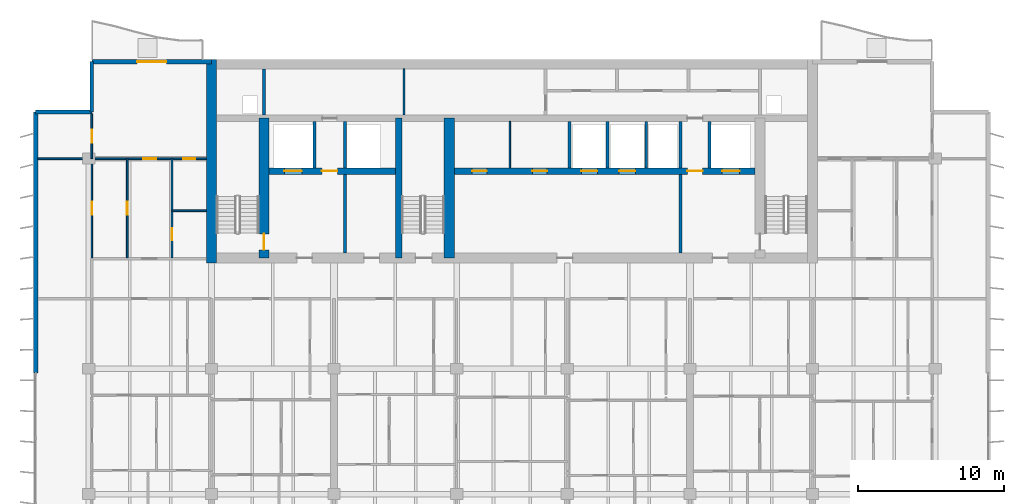
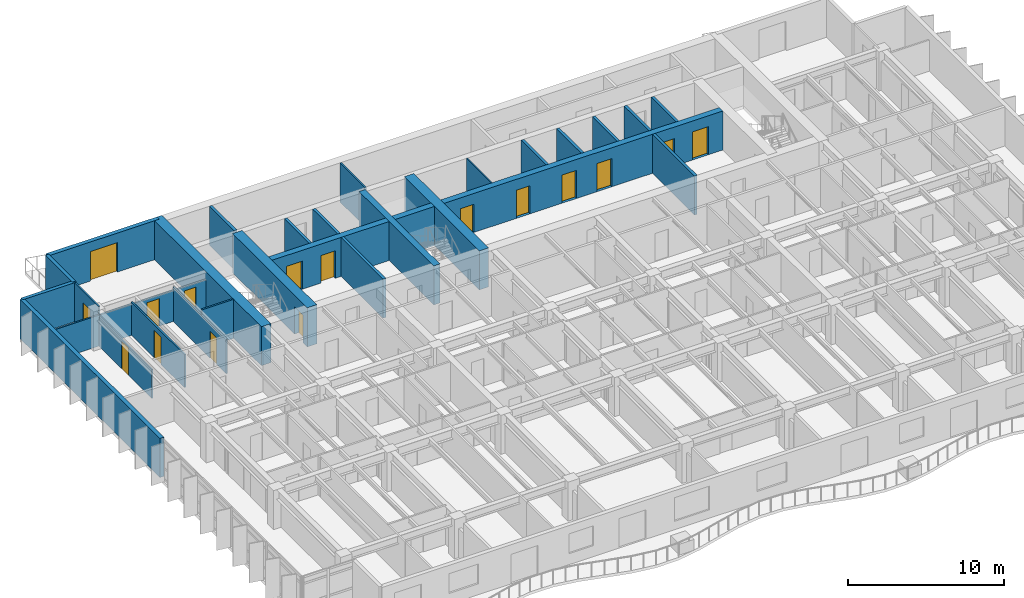
# One storey, part 13 of 19: 27 walls, 16 doors, 16 openings.
"""IFC4 building model written with IfcOpenShell, lengths in metres."""

from ifc_helpers import new_model, si_unit, direction, frame, frame_2d, origin, place, context, subcontext, project, spatial, rectangle, extrude, material, layer, layer_set, type_object, element, fill, save


model = new_model("IFC4")

# Units and contexts
model_context = context("Model", 3, precision=1e-05, world=origin(), true_north=direction((0.0, 1.0)))
body_context = subcontext(model_context, "Body", "Model", "MODEL_VIEW")
ifc_project = project(units=[si_unit("LENGTHUNIT", "METRE"), si_unit("AREAUNIT", "SQUARE_METRE"), si_unit("VOLUMEUNIT", "CUBIC_METRE"), si_unit("PLANEANGLEUNIT", "RADIAN"), si_unit("MASSUNIT", "GRAM", prefix="KILO")], contexts=[model_context])

# Site, building, storey
site_placement = place(None, origin())
site = spatial("IfcSite", under=ifc_project, at=site_placement, CompositionType="ELEMENT")
building_placement = place(site_placement, origin())
building = spatial("IfcBuilding", under=site, at=building_placement, Name="Caelmar Bay Residences", CompositionType="ELEMENT")
storey_placement = place(building_placement, frame((0.0, 0.0, 160.5)))
storey = spatial("IfcBuildingStorey", under=building, at=storey_placement, Name="L44", CompositionType="ELEMENT", Elevation=160.5)

# Wall
ifc_material_1 = material(Name="Concrete f'c 55 MPa (8,000 psi)", Category="concrete")
ifc_layer_1 = layer(ifc_material_1, 0.699951171875)
ifc_layer_set_1 = layer_set([ifc_layer_1], Name="Concrete f'c 55 MPa (8,000 psi)")
wall_type_1 = type_object("IfcWallType", Name="SW-COR-700", PredefinedType="SHEAR", material=ifc_layer_set_1)
wall_1_placement = place(storey_placement, frame((18.300048828125, 36.64990234375, 0.0), z_axis=(0.0, 0.0, 1.0), x_axis=(0.0, 1.0, 0.0)))
element("IfcWall", 1, at=wall_1_placement, inside=storey, type_object=wall_type_1, Name="L44 Rear Core West Shear Wall", PredefinedType="SHEAR", context=body_context, shape_type="SweptSolid", body=[
    extrude(rectangle(XDim=13.9501953125, YDim=0.699951171875, at=frame_2d((6.97509765625, 0.0))), origin(), (0.0, 0.0, 1.0), 3.050048828125),
])

# Wall, opening, door
wall_2_placement = place(storey_placement, frame((21.89990234375, 37.0, 0.0), z_axis=(0.0, 0.0, 1.0), x_axis=(0.0, 1.0, 0.0)))
wall_2 = element("IfcWall", 2, at=wall_2_placement, inside=storey, type_object=wall_type_1, Name="L44 Core Structural Web Wall ST1E", PredefinedType="SHEAR", context=body_context, shape_type="SweptSolid", body=[
    extrude(rectangle(XDim=9.574951171875, YDim=0.699951171875, at=frame_2d((4.78759765625, 0.0))), origin(), (0.0, 0.0, 1.0), 3.050048828125),
])
opening_1_placement = place(wall_2_placement, frame((0.550048828125, 0.0, 0.0)))
opening_1 = element("IfcOpeningElement", 3, at=opening_1_placement, cuts=wall_2, Name="Opening D-L44-107", PredefinedType="OPENING", context=body_context, shape_type="SweptSolid", body=[
    extrude(rectangle(XDim=1.10009765625, YDim=2.14990234375, at=frame_2d((0.550048828125, 1.074951171875))), frame((0.0, 0.35986328125, 0.0), z_axis=(0.0, -1.0, 0.0), x_axis=(1.0, 0.0, 0.0)), (0.0, 0.0, 1.0), 0.719970703125),
])
ifc_material_2 = material(Name="Fire-rated steel and walnut architectural door assembly", Category="steel")
ifc_layer_2 = layer(ifc_material_2, 0.050048828125)
ifc_layer_set_2 = layer_set([ifc_layer_2], Name="Fire-rated steel and walnut architectural door assembly")
door_type_1 = type_object("IfcDoorType", Name="D-STAIR-1100", OperationType="NOTDEFINED", PredefinedType="DOOR", material=ifc_layer_set_2)
door_1_placement = place(opening_1_placement, origin())
door_1 = element("IfcDoor", 4, at=door_1_placement, inside=storey, type_object=door_type_1, Name="L44 Firefighting Lobby West Door", OperationType="SINGLE_SWING_RIGHT", OverallHeight=2.14990234375, OverallWidth=1.10009765625, PredefinedType="DOOR", context=body_context, shape_type="SweptSolid", body=[
    extrude(rectangle(XDim=1.10009765625, YDim=2.14990234375, at=frame_2d((0.550048828125, 1.074951171875))), frame((0.0, 0.02490234375, 0.0), z_axis=(0.0, -1.0, 0.0), x_axis=(1.0, 0.0, 0.0)), (0.0, 0.0, 1.0), 0.050048828125),
])
fill(opening_1, door_1)

# Walls
wall_3_placement = place(storey_placement, frame((34.60009765625, 37.0, 0.0), z_axis=(0.0, 0.0, 1.0), x_axis=(0.0, 1.0, 0.0)))
element("IfcWall", 5, at=wall_3_placement, inside=storey, type_object=wall_type_1, Name="L44 Core Structural Web Wall ST3E", PredefinedType="SHEAR", context=body_context, shape_type="SweptSolid", body=[
    extrude(rectangle(XDim=9.574951171875, YDim=0.699951171875, at=frame_2d((4.78759765625, 0.0))), origin(), (0.0, 0.0, 1.0), 3.050048828125),
])
ifc_material_3 = material(Name="Concrete f'c 70 MPa (10,000 psi)", Category="concrete")
ifc_layer_3 = layer(ifc_material_3, 0.449951171875)
ifc_layer_set_3 = layer_set([ifc_layer_3], Name="Concrete f'c 70 MPa (10,000 psi)")
wall_type_2 = type_object("IfcWallType", Name="SW-WEB-450", PredefinedType="SHEAR", material=ifc_layer_set_3)
wall_4_placement = place(storey_placement, frame((31.125, 37.0, 0.0), z_axis=(0.0, 0.0, 1.0), x_axis=(0.0, 1.0, 0.0)))
element("IfcWall", 6, at=wall_4_placement, inside=storey, type_object=wall_type_2, Name="L44 Core Structural Web Wall ST3W", PredefinedType="SHEAR", context=body_context, shape_type="SweptSolid", body=[
    extrude(rectangle(XDim=9.574951171875, YDim=0.449951171875, at=frame_2d((4.78759765625, 0.0))), origin(), (0.0, 0.0, 1.0), 3.050048828125),
])

# Wall, openings, doors
wall_5_placement = place(storey_placement, frame((22.25, 42.949951171875, 0.0), z_axis=(0.0, 0.0, 1.0), x_axis=(1.0, 0.0, 0.0)))
wall_5 = element("IfcWall", 7, at=wall_5_placement, inside=storey, type_object=wall_type_2, Name="L44 Core Structural Web Wall LFR", PredefinedType="SHEAR", context=body_context, shape_type="SweptSolid", body=[
    extrude(rectangle(XDim=33.300048828125, YDim=0.449951171875, at=frame_2d((16.64990234375, 0.0))), origin(), (0.0, 0.0, 1.0), 3.050048828125),
])
opening_2_placement = place(wall_5_placement, frame((1.050048828125, 0.0, 0.0)))
opening_2 = element("IfcOpeningElement", 8, at=opening_2_placement, cuts=wall_5, Name="Opening LD2", PredefinedType="OPENING", context=body_context, shape_type="SweptSolid", body=[
    extrude(rectangle(XDim=1.199951171875, YDim=2.199951171875, at=frame_2d((0.60009765625, 1.10009765625))), frame((0.0, 0.23486328125, 0.0), z_axis=(0.0, -1.0, 0.0), x_axis=(1.0, 0.0, 0.0)), (0.0, 0.0, 1.0), 0.469970703125),
])
opening_3_placement = place(wall_5_placement, frame((31.050048828125, 0.0, 0.0)))
opening_3 = element("IfcOpeningElement", 9, at=opening_3_placement, cuts=wall_5, Name="Opening LD2", PredefinedType="OPENING", context=body_context, shape_type="SweptSolid", body=[
    extrude(rectangle(XDim=1.199951171875, YDim=2.199951171875, at=frame_2d((0.60009765625, 1.10009765625))), frame((0.0, 0.23486328125, 0.0), z_axis=(0.0, -1.0, 0.0), x_axis=(1.0, 0.0, 0.0)), (0.0, 0.0, 1.0), 0.469970703125),
])
opening_4_placement = place(wall_5_placement, frame((21.39990234375, 0.0, 0.0)))
opening_4 = element("IfcOpeningElement", 10, at=opening_4_placement, cuts=wall_5, Name="Opening LD1", PredefinedType="OPENING", context=body_context, shape_type="SweptSolid", body=[
    extrude(rectangle(XDim=1.10009765625, YDim=2.199951171875, at=frame_2d((0.550048828125, 1.10009765625))), frame((0.0, 0.23486328125, 0.0), z_axis=(0.0, -1.0, 0.0), x_axis=(1.0, 0.0, 0.0)), (0.0, 0.0, 1.0), 0.469970703125),
])
opening_5_placement = place(wall_5_placement, frame((24.0, 0.0, 0.0)))
opening_5 = element("IfcOpeningElement", 11, at=opening_5_placement, cuts=wall_5, Name="Opening LD1", PredefinedType="OPENING", context=body_context, shape_type="SweptSolid", body=[
    extrude(rectangle(XDim=1.10009765625, YDim=2.199951171875, at=frame_2d((0.550048828125, 1.10009765625))), frame((0.0, 0.23486328125, 0.0), z_axis=(0.0, -1.0, 0.0), x_axis=(1.0, 0.0, 0.0)), (0.0, 0.0, 1.0), 0.469970703125),
])
opening_6_placement = place(wall_5_placement, frame((3.625, 0.0, 0.0)))
opening_6 = element("IfcOpeningElement", 12, at=opening_6_placement, cuts=wall_5, Name="Opening D-L44-108", PredefinedType="OPENING", context=body_context, shape_type="SweptSolid", body=[
    extrude(rectangle(XDim=1.050048828125, YDim=2.14990234375, at=frame_2d((0.52490234375, 1.074951171875))), frame((0.0, 0.23486328125, 0.0), z_axis=(0.0, -1.0, 0.0), x_axis=(1.0, 0.0, 0.0)), (0.0, 0.0, 1.0), 0.469970703125),
])
opening_7_placement = place(wall_5_placement, frame((28.675048828125, 0.0, 0.0)))
opening_7 = element("IfcOpeningElement", 13, at=opening_7_placement, cuts=wall_5, Name="Opening D-L44-111", PredefinedType="OPENING", context=body_context, shape_type="SweptSolid", body=[
    extrude(rectangle(XDim=1.050048828125, YDim=2.14990234375, at=frame_2d((0.52490234375, 1.074951171875))), frame((0.0, 0.23486328125, 0.0), z_axis=(0.0, -1.0, 0.0), x_axis=(1.0, 0.0, 0.0)), (0.0, 0.0, 1.0), 0.469970703125),
])
opening_8_placement = place(wall_5_placement, frame((13.925048828125, 0.0, 0.0)))
opening_8 = element("IfcOpeningElement", 14, at=opening_8_placement, cuts=wall_5, Name="Opening D-L44-114", PredefinedType="OPENING", context=body_context, shape_type="SweptSolid", body=[
    extrude(rectangle(XDim=1.0, YDim=2.199951171875, at=frame_2d((0.5, 1.10009765625))), frame((0.0, 0.23486328125, 0.0), z_axis=(0.0, -1.0, 0.0), x_axis=(1.0, 0.0, 0.0)), (0.0, 0.0, 1.0), 0.469970703125),
])
opening_9_placement = place(wall_5_placement, frame((18.050048828125, 0.0, 0.0)))
opening_9 = element("IfcOpeningElement", 15, at=opening_9_placement, cuts=wall_5, Name="Opening D-L44-115", PredefinedType="OPENING", context=body_context, shape_type="SweptSolid", body=[
    extrude(rectangle(XDim=1.0, YDim=2.199951171875, at=frame_2d((0.5, 1.10009765625))), frame((0.0, 0.23486328125, 0.0), z_axis=(0.0, -1.0, 0.0), x_axis=(1.0, 0.0, 0.0)), (0.0, 0.0, 1.0), 0.469970703125),
])
ifc_layer_4 = layer(ifc_material_2, 0.050048828125)
ifc_layer_set_4 = layer_set([ifc_layer_4], Name="Fire-rated steel and walnut architectural door assembly")
door_type_2 = type_object("IfcDoorType", Name="D-FSAE-1050", OperationType="NOTDEFINED", PredefinedType="DOOR", material=ifc_layer_set_4)
door_2_placement = place(opening_6_placement, origin())
door_2 = element("IfcDoor", 16, at=door_2_placement, inside=storey, type_object=door_type_2, Name="L44 Firefighting Lobby West Door", OperationType="SINGLE_SWING_LEFT", OverallHeight=2.14990234375, OverallWidth=1.050048828125, PredefinedType="DOOR", context=body_context, shape_type="SweptSolid", body=[
    extrude(rectangle(XDim=1.050048828125, YDim=2.14990234375, at=frame_2d((0.52490234375, 1.074951171875))), frame((0.0, 0.02490234375, 0.0), z_axis=(0.0, -1.0, 0.0), x_axis=(1.0, 0.0, 0.0)), (0.0, 0.0, 1.0), 0.050048828125),
])
fill(opening_6, door_2)
door_3_placement = place(opening_7_placement, origin())
door_3 = element("IfcDoor", 17, at=door_3_placement, inside=storey, type_object=door_type_2, Name="L44 Firefighting Lobby East Door", OperationType="SINGLE_SWING_RIGHT", OverallHeight=2.14990234375, OverallWidth=1.050048828125, PredefinedType="DOOR", context=body_context, shape_type="SweptSolid", body=[
    extrude(rectangle(XDim=1.050048828125, YDim=2.14990234375, at=frame_2d((0.52490234375, 1.074951171875))), frame((0.0, 0.02490234375, 0.0), z_axis=(0.0, -1.0, 0.0), x_axis=(1.0, 0.0, 0.0)), (0.0, 0.0, 1.0), 0.050048828125),
])
fill(opening_7, door_3)
ifc_material_4 = material(Name="Brushed bronze stainless-steel fire-rated lift landing doors", Category="steel")
ifc_layer_5 = layer(ifc_material_4, 0.050048828125)
ifc_layer_set_5 = layer_set([ifc_layer_5], Name="Brushed bronze stainless-steel fire-rated lift landing doors")
door_type_3 = type_object("IfcDoorType", Name="D-LND-1100", OperationType="DOUBLE_DOOR_SLIDING", PredefinedType="DOOR", material=ifc_layer_set_5)
door_4_placement = place(opening_4_placement, origin())
door_4 = element("IfcDoor", 18, at=door_4_placement, inside=storey, type_object=door_type_3, Name="L44 LP4 Sliding Landing Door", OperationType="DOUBLE_DOOR_SLIDING", OverallHeight=2.199951171875, OverallWidth=1.10009765625, PredefinedType="DOOR", context=body_context, shape_type="SweptSolid", body=[
    extrude(rectangle(XDim=1.10009765625, YDim=2.199951171875, at=frame_2d((0.550048828125, 1.10009765625))), frame((0.0, 0.02490234375, 0.0), z_axis=(0.0, -1.0, 0.0), x_axis=(1.0, 0.0, 0.0)), (0.0, 0.0, 1.0), 0.050048828125),
])
fill(opening_4, door_4)
door_5_placement = place(opening_5_placement, origin())
door_5 = element("IfcDoor", 19, at=door_5_placement, inside=storey, type_object=door_type_3, Name="L44 LP5 Sliding Landing Door", OperationType="DOUBLE_DOOR_SLIDING", OverallHeight=2.199951171875, OverallWidth=1.10009765625, PredefinedType="DOOR", context=body_context, shape_type="SweptSolid", body=[
    extrude(rectangle(XDim=1.10009765625, YDim=2.199951171875, at=frame_2d((0.550048828125, 1.10009765625))), frame((0.0, 0.02490234375, 0.0), z_axis=(0.0, -1.0, 0.0), x_axis=(1.0, 0.0, 0.0)), (0.0, 0.0, 1.0), 0.050048828125),
])
fill(opening_5, door_5)
ifc_material_5 = material(Name="Brushed stainless-steel FSAE sliding landing door", Category="steel")
ifc_layer_6 = layer(ifc_material_5, 0.050048828125)
ifc_layer_set_6 = layer_set([ifc_layer_6], Name="Brushed stainless-steel FSAE sliding landing door")
door_type_4 = type_object("IfcDoorType", Name="D-LND-1200", OperationType="DOUBLE_DOOR_SLIDING", PredefinedType="DOOR", material=ifc_layer_set_6)
door_6_placement = place(opening_2_placement, origin())
door_6 = element("IfcDoor", 20, at=door_6_placement, inside=storey, type_object=door_type_4, Name="L44 LF1 Sliding Landing Door", OperationType="DOUBLE_DOOR_SLIDING", OverallHeight=2.199951171875, OverallWidth=1.199951171875, PredefinedType="DOOR", context=body_context, shape_type="SweptSolid", body=[
    extrude(rectangle(XDim=1.199951171875, YDim=2.199951171875, at=frame_2d((0.60009765625, 1.10009765625))), frame((0.0, 0.02490234375, 0.0), z_axis=(0.0, -1.0, 0.0), x_axis=(1.0, 0.0, 0.0)), (0.0, 0.0, 1.0), 0.050048828125),
])
fill(opening_2, door_6)
door_7_placement = place(opening_3_placement, origin())
door_7 = element("IfcDoor", 21, at=door_7_placement, inside=storey, type_object=door_type_4, Name="L44 LF2 Sliding Landing Door", OperationType="DOUBLE_DOOR_SLIDING", OverallHeight=2.199951171875, OverallWidth=1.199951171875, PredefinedType="DOOR", context=body_context, shape_type="SweptSolid", body=[
    extrude(rectangle(XDim=1.199951171875, YDim=2.199951171875, at=frame_2d((0.60009765625, 1.10009765625))), frame((0.0, 0.02490234375, 0.0), z_axis=(0.0, -1.0, 0.0), x_axis=(1.0, 0.0, 0.0)), (0.0, 0.0, 1.0), 0.050048828125),
])
fill(opening_3, door_7)
ifc_layer_7 = layer(ifc_material_2, 0.050048828125)
ifc_layer_set_7 = layer_set([ifc_layer_7], Name="Fire-rated steel and walnut architectural door assembly")
door_type_5 = type_object("IfcDoorType", Name="D-UNIT-1000", OperationType="NOTDEFINED", PredefinedType="DOOR", material=ifc_layer_set_7)
door_8_placement = place(opening_8_placement, origin())
door_8 = element("IfcDoor", 22, at=door_8_placement, inside=storey, type_object=door_type_5, Name="L44 Residents Study Room Door", OperationType="SINGLE_SWING_LEFT", OverallHeight=2.199951171875, OverallWidth=1.0, PredefinedType="DOOR", context=body_context, shape_type="SweptSolid", body=[
    extrude(rectangle(XDim=1.0, YDim=2.199951171875, at=frame_2d((0.5, 1.10009765625))), frame((0.0, 0.02490234375, 0.0), z_axis=(0.0, -1.0, 0.0), x_axis=(1.0, 0.0, 0.0)), (0.0, 0.0, 1.0), 0.050048828125),
])
fill(opening_8, door_8)
door_9_placement = place(opening_9_placement, origin())
door_9 = element("IfcDoor", 23, at=door_9_placement, inside=storey, type_object=door_type_5, Name="L44 Wine Tasting Room Door", OperationType="SINGLE_SWING_RIGHT", OverallHeight=2.199951171875, OverallWidth=1.0, PredefinedType="DOOR", context=body_context, shape_type="SweptSolid", body=[
    extrude(rectangle(XDim=1.0, YDim=2.199951171875, at=frame_2d((0.5, 1.10009765625))), frame((0.0, 0.02490234375, 0.0), z_axis=(0.0, -1.0, 0.0), x_axis=(1.0, 0.0, 0.0)), (0.0, 0.0, 1.0), 0.050048828125),
])
fill(opening_9, door_9)

# Walls
ifc_material_6 = material(Name="Precast concrete f'c 40 MPa (6,000 psi)", Category="concrete")
ifc_layer_8 = layer(ifc_material_6, 0.25)
ifc_layer_set_8 = layer_set([ifc_layer_8], Name="Precast concrete f'c 40 MPa (6,000 psi)")
wall_type_3 = type_object("IfcWallType", Name="W-EXT-250", PredefinedType="ELEMENTEDWALL", material=ifc_layer_set_8)
wall_6_placement = place(storey_placement, frame((6.25, 47.0, 0.0), z_axis=(0.0, 0.0, 1.0), x_axis=(1.0, 0.0, 0.0)))
element("IfcWall", 24, at=wall_6_placement, inside=storey, type_object=wall_type_3, Name="L44 NNW-H Notch Wall", PredefinedType="ELEMENTEDWALL", context=body_context, shape_type="SweptSolid", body=[
    extrude(rectangle(XDim=3.85009765625, YDim=0.25, at=frame_2d((1.925048828125, 0.0))), origin(), (0.0, 0.0, 1.0), 3.050048828125),
])
wall_7_placement = place(storey_placement, frame((10.10009765625, 47.0, 0.0), z_axis=(0.0, 0.0, 1.0), x_axis=(0.0, 1.0, 0.0)))
element("IfcWall", 25, at=wall_7_placement, inside=storey, type_object=wall_type_3, Name="L44 NNW-V Notch Wall", PredefinedType="ELEMENTEDWALL", context=body_context, shape_type="SweptSolid", body=[
    extrude(rectangle(XDim=3.449951171875, YDim=0.25, at=frame_2d((1.72509765625, 0.0))), origin(), (0.0, 0.0, 1.0), 3.050048828125),
])
ifc_layer_9 = layer(ifc_material_6, 0.300048828125)
ifc_layer_set_9 = layer_set([ifc_layer_9], Name="Precast concrete f'c 40 MPa (6,000 psi)")
wall_type_4 = type_object("IfcWallType", Name="W-EXT-300", PredefinedType="STANDARD", material=ifc_layer_set_9)
wall_8_placement = place(storey_placement, frame((6.25, 29.10009765625, 0.0), z_axis=(0.0, 0.0, 1.0), x_axis=(0.0, 1.0, 0.0)))
element("IfcWall", 26, at=wall_8_placement, inside=storey, type_object=wall_type_4, Name="L44 West Rear Exterior Wall", PredefinedType="STANDARD", context=body_context, shape_type="SweptSolid", body=[
    extrude(rectangle(XDim=17.89990234375, YDim=0.300048828125, at=frame_2d((8.949951171875, 0.0))), origin(), (0.0, 0.0, 1.0), 3.050048828125),
])

# Wall, opening, door
wall_9_placement = place(storey_placement, frame((10.10009765625, 50.449951171875, 0.0), z_axis=(0.0, 0.0, 1.0), x_axis=(1.0, 0.0, 0.0)))
wall_9 = element("IfcWall", 27, at=wall_9_placement, inside=storey, type_object=wall_type_4, Name="L44 North-West Wing Exterior Wall", PredefinedType="STANDARD", context=body_context, shape_type="SweptSolid", body=[
    extrude(rectangle(XDim=8.199951171875, YDim=0.300048828125, at=frame_2d((4.10009765625, 0.0))), origin(), (0.0, 0.0, 1.0), 3.050048828125),
])
opening_10_placement = place(wall_9_placement, frame((3.10009765625, 0.0, 0.0)))
opening_10 = element("IfcOpeningElement", 28, at=opening_10_placement, cuts=wall_9, Name="Opening L44-BDNW", PredefinedType="OPENING", context=body_context, shape_type="SweptSolid", body=[
    extrude(rectangle(XDim=2.0, YDim=2.300048828125, at=frame_2d((1.0, 1.14990234375))), frame((0.0, 0.159912109375, 0.0), z_axis=(0.0, -1.0, 0.0), x_axis=(1.0, 0.0, 0.0)), (0.0, 0.0, 1.0), 0.320068359375),
])
ifc_material_7 = material(Name="Anodised bronze thermally broken sliding glass door", Category="glass")
ifc_layer_10 = layer(ifc_material_7, 0.050048828125)
ifc_layer_set_10 = layer_set([ifc_layer_10], Name="Anodised bronze thermally broken sliding glass door")
door_type_6 = type_object("IfcDoorType", Name="D-BAL-2000", OperationType="DOUBLE_DOOR_SLIDING", PredefinedType="DOOR", material=ifc_layer_set_10)
door_10_placement = place(opening_10_placement, origin())
door_10 = element("IfcDoor", 29, at=door_10_placement, inside=storey, type_object=door_type_6, Name="L44 North-West Balcony Door", OperationType="DOUBLE_DOOR_SLIDING", OverallHeight=2.300048828125, OverallWidth=2.0, PredefinedType="DOOR", context=body_context, shape_type="SweptSolid", body=[
    extrude(rectangle(XDim=2.0, YDim=2.300048828125, at=frame_2d((1.0, 1.14990234375))), frame((0.0, 0.02490234375, 0.0), z_axis=(0.0, -1.0, 0.0), x_axis=(1.0, 0.0, 0.0)), (0.0, 0.0, 1.0), 0.050048828125),
])
fill(opening_10, door_10)

# Walls
ifc_material_8 = material(Name="Fire-rated masonry and gypsum shaftliner assembly 200 mm", Category="masonry")
ifc_layer_11 = layer(ifc_material_8, 0.199951171875)
ifc_layer_set_11 = layer_set([ifc_layer_11], Name="Fire-rated masonry and gypsum shaftliner assembly 200 mm")
wall_type_5 = type_object("IfcWallType", Name="W-FSAE-200", PredefinedType="PARTITIONING", material=ifc_layer_set_11)
wall_10_placement = place(storey_placement, frame((21.89990234375, 46.794921875, 0.0), z_axis=(0.0, 0.0, 1.0), x_axis=(0.0, 1.0, 0.0)))
element("IfcWall", 30, at=wall_10_placement, inside=storey, type_object=wall_type_5, Name="L44 Partition Wall V023", PredefinedType="PARTITIONING", context=body_context, shape_type="SweptSolid", body=[
    extrude(rectangle(XDim=3.16015625, YDim=0.199951171875, at=frame_2d((1.580078125, 0.0))), origin(), (0.0, 0.0, 1.0), 3.050048828125),
])
wall_11_placement = place(storey_placement, frame((25.35009765625, 43.169921875, 0.0), z_axis=(0.0, 0.0, 1.0), x_axis=(0.0, 1.0, 0.0)))
element("IfcWall", 31, at=wall_11_placement, inside=storey, type_object=wall_type_5, Name="L44 Partition Wall V030", PredefinedType="PARTITIONING", context=body_context, shape_type="SweptSolid", body=[
    extrude(rectangle(XDim=3.18505859375, YDim=0.199951171875, at=frame_2d((1.592529296875, 0.0))), origin(), (0.0, 0.0, 1.0), 3.050048828125),
])
wall_12_placement = place(storey_placement, frame((27.449951171875, 37.344970703125, 0.0), z_axis=(0.0, 0.0, 1.0), x_axis=(0.0, 1.0, 0.0)))
element("IfcWall", 32, at=wall_12_placement, inside=storey, type_object=wall_type_5, Name="L44 Partition Wall V034", PredefinedType="PARTITIONING", context=body_context, shape_type="SweptSolid", body=[
    extrude(rectangle(XDim=5.385009765625, YDim=0.199951171875, at=frame_2d((2.6923828125, 0.0))), origin(), (0.0, 0.0, 1.0), 3.050048828125),
])
for number, where, z_axis, x_axis, name in (
    (33, (27.449951171875, 43.169921875, 0.0), (0.0, 0.0, 1.0), (0.0, 1.0, 0.0), "L44 Partition Wall V035"),
    (34, (42.85009765625, 43.169921875, 0.0), (0.0, 0.0, 1.0), (0.0, 1.0, 0.0), "L44 Partition Wall V055"),
    (35, (45.449951171875, 43.169921875, 0.0), (0.0, 0.0, 1.0), (0.0, 1.0, 0.0), "L44 Partition Wall V056"),
    (36, (48.10009765625, 43.169921875, 0.0), (0.0, 0.0, 1.0), (0.0, 1.0, 0.0), "L44 Partition Wall V062"),
):
    element("IfcWall", number, at=place(storey_placement, frame(where, z_axis=z_axis, x_axis=x_axis)), inside=storey, type_object=wall_type_5, Name=name, PredefinedType="PARTITIONING", context=body_context, shape_type="SweptSolid", body=[
        extrude(rectangle(XDim=3.18505859375, YDim=0.199951171875, at=frame_2d((1.592529296875, 0.0))), origin(), (0.0, 0.0, 1.0), 3.050048828125),
    ])
wall_13_placement = place(storey_placement, frame((50.449951171875, 37.344970703125, 0.0), z_axis=(0.0, 0.0, 1.0), x_axis=(0.0, 1.0, 0.0)))
element("IfcWall", 37, at=wall_13_placement, inside=storey, type_object=wall_type_5, Name="L44 Partition Wall V065", PredefinedType="PARTITIONING", context=body_context, shape_type="SweptSolid", body=[
    extrude(rectangle(XDim=5.385009765625, YDim=0.199951171875, at=frame_2d((2.6923828125, 0.0))), origin(), (0.0, 0.0, 1.0), 3.050048828125),
])
for number, where, z_axis, x_axis, name in (
    (38, (50.449951171875, 43.169921875, 0.0), (0.0, 0.0, 1.0), (0.0, 1.0, 0.0), "L44 Partition Wall V066"),
    (39, (52.449951171875, 43.169921875, 0.0), (0.0, 0.0, 1.0), (0.0, 1.0, 0.0), "L44 Partition Wall V071"),
):
    element("IfcWall", number, at=place(storey_placement, frame(where, z_axis=z_axis, x_axis=x_axis)), inside=storey, type_object=wall_type_5, Name=name, PredefinedType="PARTITIONING", context=body_context, shape_type="SweptSolid", body=[
        extrude(rectangle(XDim=3.18505859375, YDim=0.199951171875, at=frame_2d((1.592529296875, 0.0))), origin(), (0.0, 0.0, 1.0), 3.050048828125),
    ])

# Wall, opening, door
ifc_material_9 = material(Name="Anodised bronze framed acoustic sliding study partition 100 mm")
ifc_layer_12 = layer(ifc_material_9, 0.10009765625)
ifc_layer_set_12 = layer_set([ifc_layer_12], Name="Anodised bronze framed acoustic sliding study partition 100 mm")
wall_type_6 = type_object("IfcWallType", Name="W-MOV-100", PredefinedType="MOVABLE", material=ifc_layer_set_12)
wall_14_placement = place(storey_placement, frame((10.10009765625, 37.0, 0.0), z_axis=(0.0, 0.0, 1.0), x_axis=(0.0, 1.0, 0.0)))
wall_14 = element("IfcWall", 40, at=wall_14_placement, inside=storey, type_object=wall_type_6, Name="L44 Partition Wall V007", PredefinedType="MOVABLE", context=body_context, shape_type="SweptSolid", body=[
    extrude(rectangle(XDim=6.800048828125, YDim=0.10009765625, at=frame_2d((3.39990234375, 0.0))), origin(), (0.0, 0.0, 1.0), 2.262939453125),
])
opening_11_placement = place(wall_14_placement, frame((2.949951171875, 0.0, 0.0)))
opening_11 = element("IfcOpeningElement", 41, at=opening_11_placement, cuts=wall_14, Name="Opening D-L44-171", PredefinedType="OPENING", context=body_context, shape_type="SweptSolid", body=[
    extrude(rectangle(XDim=0.89990234375, YDim=2.14990234375, at=frame_2d((0.449951171875, 1.074951171875))), frame((0.0, 0.06005859375, 0.0), z_axis=(0.0, -1.0, 0.0), x_axis=(1.0, 0.0, 0.0)), (0.0, 0.0, 1.0), 0.1201171875),
])
ifc_material_10 = material(Name="Solid walnut timber interior door leaf and frame", Category="wood")
ifc_layer_13 = layer(ifc_material_10, 0.050048828125)
ifc_layer_set_13 = layer_set([ifc_layer_13], Name="Solid walnut timber interior door leaf and frame")
door_type_7 = type_object("IfcDoorType", Name="D-ROOM-900", OperationType="NOTDEFINED", PredefinedType="DOOR", material=ifc_layer_set_13)
door_11_placement = place(opening_11_placement, origin())
door_11 = element("IfcDoor", 42, at=door_11_placement, inside=storey, type_object=door_type_7, Name="L44 Residence WA Sun Study Door", OperationType="SINGLE_SWING_RIGHT", OverallHeight=2.14990234375, OverallWidth=0.89990234375, PredefinedType="DOOR", context=body_context, shape_type="SweptSolid", body=[
    extrude(rectangle(XDim=0.89990234375, YDim=2.14990234375, at=frame_2d((0.449951171875, 1.074951171875))), frame((0.0, 0.02490234375, 0.0), z_axis=(0.0, -1.0, 0.0), x_axis=(1.0, 0.0, 0.0)), (0.0, 0.0, 1.0), 0.050048828125),
])
fill(opening_11, door_11)

# Wall
wall_15_placement = place(storey_placement, frame((38.75, 43.169921875, 0.0), z_axis=(0.0, 0.0, 1.0), x_axis=(0.0, 1.0, 0.0)))
element("IfcWall", 43, at=wall_15_placement, inside=storey, type_object=wall_type_6, Name="L44 Partition Wall V046", PredefinedType="MOVABLE", context=body_context, shape_type="SweptSolid", body=[
    extrude(rectangle(XDim=3.18505859375, YDim=0.10009765625, at=frame_2d((1.592529296875, 0.0))), origin(), (0.0, 0.0, 1.0), 3.050048828125),
])

# Wall, opening, door
ifc_material_11 = material(Name="Acoustic metal-stud gypsum partition 120 mm")
ifc_layer_14 = layer(ifc_material_11, 0.1201171875)
ifc_layer_set_14 = layer_set([ifc_layer_14], Name="Acoustic metal-stud gypsum partition 120 mm")
wall_type_7 = type_object("IfcWallType", Name="W-PRT-120", PredefinedType="PARTITIONING", material=ifc_layer_set_14)
wall_16_placement = place(storey_placement, frame((10.10009765625, 43.804931640625, 0.0), z_axis=(0.0, 0.0, 1.0), x_axis=(0.0, 1.0, 0.0)))
wall_16 = element("IfcWall", 44, at=wall_16_placement, inside=storey, type_object=wall_type_7, Name="L44 Partition Wall V008", PredefinedType="PARTITIONING", context=body_context, shape_type="SweptSolid", body=[
    extrude(rectangle(XDim=3.074951171875, YDim=0.1201171875, at=frame_2d((1.53759765625, 0.0))), origin(), (0.0, 0.0, 1.0), 3.050048828125),
])
opening_12_placement = place(wall_16_placement, frame((1.08740234375, 0.0, 0.0)))
opening_12 = element("IfcOpeningElement", 45, at=opening_12_placement, cuts=wall_16, Name="Opening D-L44-172", PredefinedType="OPENING", context=body_context, shape_type="SweptSolid", body=[
    extrude(rectangle(XDim=0.89990234375, YDim=2.14990234375, at=frame_2d((0.449951171875, 1.074951171875))), frame((0.0, 0.070068359375, 0.0), z_axis=(0.0, -1.0, 0.0), x_axis=(1.0, 0.0, 0.0)), (0.0, 0.0, 1.0), 0.14013671875),
])
door_12_placement = place(opening_12_placement, origin())
door_12 = element("IfcDoor", 46, at=door_12_placement, inside=storey, type_object=door_type_7, Name="L44 Residence WA North Sitting Alcove Door", OperationType="SINGLE_SWING_LEFT", OverallHeight=2.14990234375, OverallWidth=0.89990234375, PredefinedType="DOOR", context=body_context, shape_type="SweptSolid", body=[
    extrude(rectangle(XDim=0.89990234375, YDim=2.14990234375, at=frame_2d((0.449951171875, 1.074951171875))), frame((0.0, 0.02490234375, 0.0), z_axis=(0.0, -1.0, 0.0), x_axis=(1.0, 0.0, 0.0)), (0.0, 0.0, 1.0), 0.050048828125),
])
fill(opening_12, door_12)

wall_17_placement = place(storey_placement, frame((12.52001953125, 37.0, 0.0), z_axis=(0.0, 0.0, 1.0), x_axis=(0.0, 1.0, 0.0)))
wall_17 = element("IfcWall", 47, at=wall_17_placement, inside=storey, type_object=wall_type_7, Name="L44 Partition Wall V009", PredefinedType="PARTITIONING", context=body_context, shape_type="SweptSolid", body=[
    extrude(rectangle(XDim=6.800048828125, YDim=0.1201171875, at=frame_2d((3.39990234375, 0.0))), origin(), (0.0, 0.0, 1.0), 2.577880859375),
])
opening_13_placement = place(wall_17_placement, frame((2.949951171875, 0.0, 0.0)))
opening_13 = element("IfcOpeningElement", 48, at=opening_13_placement, cuts=wall_17, Name="Opening D-L44-166", PredefinedType="OPENING", context=body_context, shape_type="SweptSolid", body=[
    extrude(rectangle(XDim=0.89990234375, YDim=2.14990234375, at=frame_2d((0.449951171875, 1.074951171875))), frame((0.0, 0.070068359375, 0.0), z_axis=(0.0, -1.0, 0.0), x_axis=(1.0, 0.0, 0.0)), (0.0, 0.0, 1.0), 0.14013671875),
])
door_13_placement = place(opening_13_placement, origin())
door_13 = element("IfcDoor", 49, at=door_13_placement, inside=storey, type_object=door_type_7, Name="L44 Residence WA Dining Room Door", OperationType="SINGLE_SWING_LEFT", OverallHeight=2.14990234375, OverallWidth=0.89990234375, PredefinedType="DOOR", context=body_context, shape_type="SweptSolid", body=[
    extrude(rectangle(XDim=0.89990234375, YDim=2.14990234375, at=frame_2d((0.449951171875, 1.074951171875))), frame((0.0, 0.02490234375, 0.0), z_axis=(0.0, -1.0, 0.0), x_axis=(1.0, 0.0, 0.0)), (0.0, 0.0, 1.0), 0.050048828125),
])
fill(opening_13, door_13)

wall_18_placement = place(storey_placement, frame((15.60009765625, 37.0, 0.0), z_axis=(0.0, 0.0, 1.0), x_axis=(0.0, 1.0, 0.0)))
wall_18 = element("IfcWall", 50, at=wall_18_placement, inside=storey, type_object=wall_type_7, Name="L44 Partition Wall V015", PredefinedType="PARTITIONING", context=body_context, shape_type="SweptSolid", body=[
    extrude(rectangle(XDim=6.800048828125, YDim=0.1201171875, at=frame_2d((3.39990234375, 0.0))), origin(), (0.0, 0.0, 1.0), 2.678955078125),
])
opening_14_placement = place(wall_18_placement, frame((1.194091796875, 0.0, 0.0)))
opening_14 = element("IfcOpeningElement", 51, at=opening_14_placement, cuts=wall_18, Name="Opening D-L44-169", PredefinedType="OPENING", context=body_context, shape_type="SweptSolid", body=[
    extrude(rectangle(XDim=0.85009765625, YDim=2.10009765625, at=frame_2d((0.425048828125, 1.050048828125))), frame((0.0, 0.070068359375, 0.0), z_axis=(0.0, -1.0, 0.0), x_axis=(1.0, 0.0, 0.0)), (0.0, 0.0, 1.0), 0.14013671875),
])
ifc_layer_15 = layer(ifc_material_10, 0.050048828125)
ifc_layer_set_15 = layer_set([ifc_layer_15], Name="Solid walnut timber interior door leaf and frame")
door_type_8 = type_object("IfcDoorType", Name="D-BATH-850", OperationType="NOTDEFINED", PredefinedType="DOOR", material=ifc_layer_set_15)
door_14_placement = place(opening_14_placement, origin())
door_14 = element("IfcDoor", 52, at=door_14_placement, inside=storey, type_object=door_type_8, Name="L44 Residence WA Walk-In Closet Door", OperationType="SINGLE_SWING_RIGHT", OverallHeight=2.10009765625, OverallWidth=0.85009765625, PredefinedType="DOOR", context=body_context, shape_type="SweptSolid", body=[
    extrude(rectangle(XDim=0.85009765625, YDim=2.10009765625, at=frame_2d((0.425048828125, 1.050048828125))), frame((0.0, 0.02490234375, 0.0), z_axis=(0.0, -1.0, 0.0), x_axis=(1.0, 0.0, 0.0)), (0.0, 0.0, 1.0), 0.050048828125),
])
fill(opening_14, door_14)

# Walls
wall_19_placement = place(storey_placement, frame((31.5, 46.794921875, 0.0), z_axis=(0.0, 0.0, 1.0), x_axis=(0.0, 1.0, 0.0)))
element("IfcWall", 53, at=wall_19_placement, inside=storey, type_object=wall_type_7, Name="L44 Partition Wall V038", PredefinedType="PARTITIONING", context=body_context, shape_type="SweptSolid", body=[
    extrude(rectangle(XDim=3.16015625, YDim=0.1201171875, at=frame_2d((1.580078125, 0.0))), origin(), (0.0, 0.0, 1.0), 3.050048828125),
])
wall_20_placement = place(storey_placement, frame((15.60009765625, 40.238037109375, 0.0), z_axis=(0.0, 0.0, 1.0), x_axis=(1.0, 0.0, 0.0)))
element("IfcWall", 54, at=wall_20_placement, inside=storey, type_object=wall_type_7, Name="L44 Partition Wall H129", PredefinedType="PARTITIONING", context=body_context, shape_type="SweptSolid", body=[
    extrude(rectangle(XDim=2.35498046875, YDim=0.1201171875, at=frame_2d((1.177490234375, 0.0))), origin(), (0.0, 0.0, 1.0), 3.050048828125),
])

# Wall, openings, doors
wall_21_placement = place(storey_placement, frame((6.39501953125, 43.800048828125, 0.0), z_axis=(0.0, 0.0, 1.0), x_axis=(1.0, 0.0, 0.0)))
wall_21 = element("IfcWall", 55, at=wall_21_placement, inside=storey, type_object=wall_type_7, Name="L44 Partition Wall H131", PredefinedType="PARTITIONING", context=body_context, shape_type="SweptSolid", body=[
    extrude(rectangle(XDim=11.56005859375, YDim=0.1201171875, at=frame_2d((5.780029296875, 0.0))), origin(), (0.0, 0.0, 1.0), 2.41796875),
])
opening_15_placement = place(wall_21_placement, frame((7.215087890625, 0.0, 0.0)))
opening_15 = element("IfcOpeningElement", 56, at=opening_15_placement, cuts=wall_21, Name="Opening D-L44-168", PredefinedType="OPENING", context=body_context, shape_type="SweptSolid", body=[
    extrude(rectangle(XDim=0.89990234375, YDim=2.14990234375, at=frame_2d((0.449951171875, 1.074951171875))), frame((0.0, 0.070068359375, 0.0), z_axis=(0.0, -1.0, 0.0), x_axis=(1.0, 0.0, 0.0)), (0.0, 0.0, 1.0), 0.14013671875),
])
opening_16_placement = place(wall_21_placement, frame((9.95751953125, 0.0, 0.0)))
opening_16 = element("IfcOpeningElement", 57, at=opening_16_placement, cuts=wall_21, Name="Opening D-L44-170", PredefinedType="OPENING", context=body_context, shape_type="SweptSolid", body=[
    extrude(rectangle(XDim=0.85009765625, YDim=2.10009765625, at=frame_2d((0.425048828125, 1.050048828125))), frame((0.0, 0.070068359375, 0.0), z_axis=(0.0, -1.0, 0.0), x_axis=(1.0, 0.0, 0.0)), (0.0, 0.0, 1.0), 0.14013671875),
])
door_15_placement = place(opening_16_placement, origin())
door_15 = element("IfcDoor", 58, at=door_15_placement, inside=storey, type_object=door_type_8, Name="L44 Residence WA Bathroom Door", OperationType="SINGLE_SWING_LEFT", OverallHeight=2.10009765625, OverallWidth=0.85009765625, PredefinedType="DOOR", context=body_context, shape_type="SweptSolid", body=[
    extrude(rectangle(XDim=0.85009765625, YDim=2.10009765625, at=frame_2d((0.425048828125, 1.050048828125))), frame((0.0, 0.02490234375, 0.0), z_axis=(0.0, -1.0, 0.0), x_axis=(1.0, 0.0, 0.0)), (0.0, 0.0, 1.0), 0.050048828125),
])
fill(opening_16, door_15)
door_16_placement = place(opening_15_placement, origin())
door_16 = element("IfcDoor", 59, at=door_16_placement, inside=storey, type_object=door_type_7, Name="L44 Residence WA Studio Living and Sleeping Room Door", OperationType="SINGLE_SWING_LEFT", OverallHeight=2.14990234375, OverallWidth=0.89990234375, PredefinedType="DOOR", context=body_context, shape_type="SweptSolid", body=[
    extrude(rectangle(XDim=0.89990234375, YDim=2.14990234375, at=frame_2d((0.449951171875, 1.074951171875))), frame((0.0, 0.02490234375, 0.0), z_axis=(0.0, -1.0, 0.0), x_axis=(1.0, 0.0, 0.0)), (0.0, 0.0, 1.0), 0.050048828125),
])
fill(opening_15, door_16)

save(model, "model.ifc")
